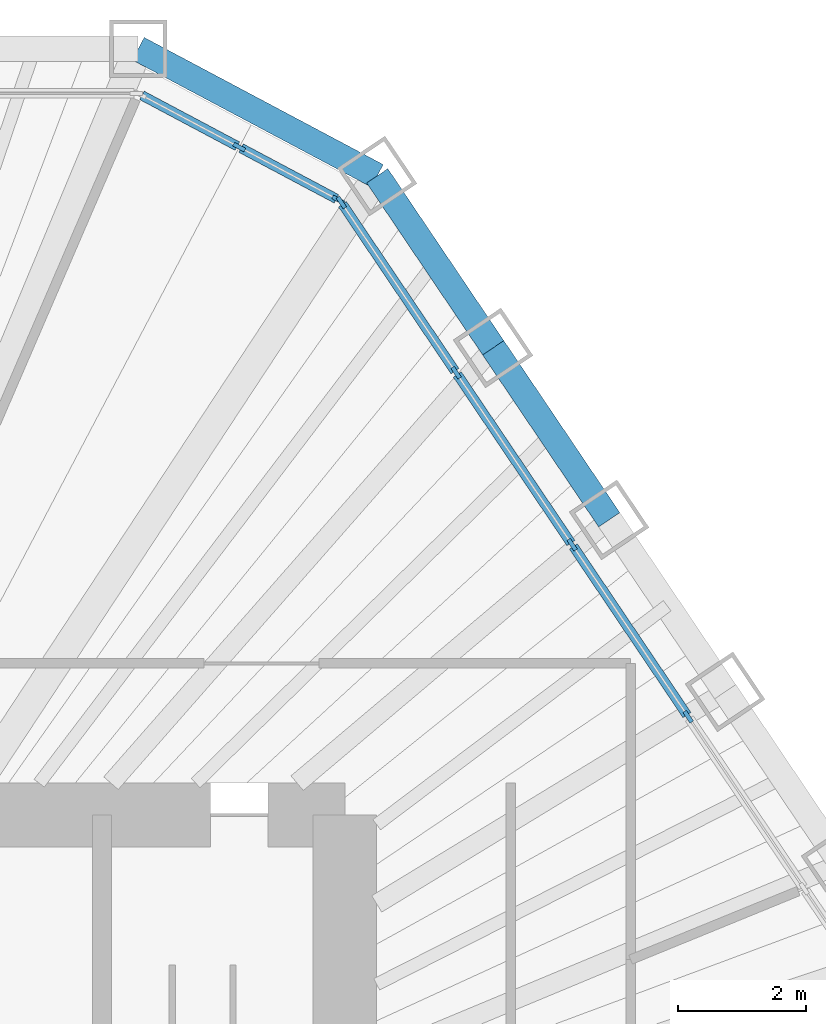
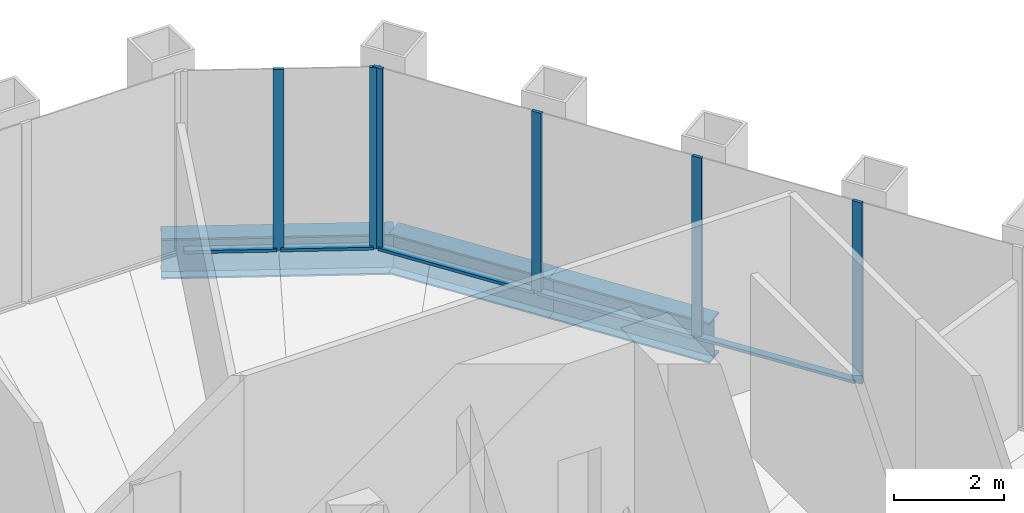
# One storey, part 8 of 14: 11 members, 3 beams, 2 elements without a shape of their own.
"""IFC4 building model written with IfcOpenShell, lengths in metres."""

from ifc_helpers import new_model, si_unit, direction, frame, origin, origin_2d, place, context, subcontext, project, spatial, rectangle, i_section, extrude, material, material_profile, profile_set, type_object, element, aggregate, save


model = new_model("IFC4")

# Units and contexts
model_context = context("Model", 3, precision=1e-05, world=origin(), true_north=direction((0.0, 1.0)))
body_context = subcontext(model_context, "Body", "Model", "MODEL_VIEW")
ifc_project = project(units=[si_unit("LENGTHUNIT", "METRE"), si_unit("AREAUNIT", "SQUARE_METRE"), si_unit("VOLUMEUNIT", "CUBIC_METRE"), si_unit("PLANEANGLEUNIT", "RADIAN"), si_unit("MASSUNIT", "GRAM", prefix="KILO")], contexts=[model_context])

# Site, building, storey
site_placement = place(None, origin())
site = spatial("IfcSite", under=ifc_project, at=site_placement, CompositionType="ELEMENT")
building_placement = place(site_placement, origin())
building = spatial("IfcBuilding", under=site, at=building_placement, Name="Qingtian Harvest Tower", CompositionType="ELEMENT")
storey_placement = place(building_placement, frame((0.0, 0.0, 287.199951171875)))
storey = spatial("IfcBuildingStorey", under=building, at=storey_placement, Name="L63", CompositionType="ELEMENT", Elevation=287.199951171875)

# Curtain wall, members
ifc_material_1 = material(Name="Bronze-anodised aluminium curtain wall", Category="aluminium")
curtain_wall_type = type_object("IfcCurtainWallType", Name="Curtain wall CW5 upper office", PredefinedType="USERDEFINED", material=ifc_material_1)
curtain_wall_1_placement = place(storey_placement, origin())
curtain_wall_1 = element("IfcCurtainWall", 1, at=curtain_wall_1_placement, inside=storey, type_object=curtain_wall_type, Name="Curtain wall CW5 L63 NC", ObjectType="RECESSED CURTAIN WALL", PredefinedType="USERDEFINED")
ifc_material_2 = material(Name="Bronze-anodised aluminium mullion", Category="aluminium")
ifc_material_profile_1 = material_profile(ifc_material_2, rectangle(XDim=0.06494140625, YDim=0.199951171875, at=origin_2d()), Name="AL 65x200")
ifc_profile_set_1 = profile_set([ifc_material_profile_1], Name="Bronze-anodised aluminium mullion")
member_type_1 = type_object("IfcMemberType", Name="Mullion CWM 65x200", PredefinedType="MULLION", material=ifc_profile_set_1)
member_1_placement = place(storey_placement, frame((10.3466796875, 19.45947265625, 0.0), z_axis=(0.0, 0.0, 1.0), x_axis=(0.469471562786, 0.882947592859, 0.0)))
member_1 = element("IfcMember", 2, at=member_1_placement, type_object=member_type_1, Name="CW5 mullion 2", PredefinedType="MULLION", context=body_context, shape_type="SweptSolid", body=[
    extrude(rectangle(XDim=0.06494140625, YDim=0.199951171875, at=origin_2d()), origin(), (0.0, 0.0, 1.0), 4.030029296875),
])
member_2_placement = place(storey_placement, frame((11.89892578125, 18.634033203125, 0.0), z_axis=(0.0, 0.0, 1.0), x_axis=(0.469471562786, 0.882947592859, 0.0)))
member_2 = element("IfcMember", 3, at=member_2_placement, type_object=member_type_1, Name="CW5 mullion 3", PredefinedType="MULLION", context=body_context, shape_type="SweptSolid", body=[
    extrude(rectangle(XDim=0.06494140625, YDim=0.199951171875, at=origin_2d()), origin(), (0.0, 0.0, 1.0), 4.030029296875),
])

curtain_wall_2_placement = place(storey_placement, origin())
curtain_wall_2 = element("IfcCurtainWall", 4, at=curtain_wall_2_placement, inside=storey, type_object=curtain_wall_type, Name="Curtain wall CW5 L63 NE0-5", ObjectType="RECESSED CURTAIN WALL", PredefinedType="USERDEFINED")
member_3_placement = place(storey_placement, frame((11.94580078125, 18.592041015625, 0.0), z_axis=(0.0, 0.0, 1.0), x_axis=(0.829037572555, 0.559192903471, 0.0)))
member_3 = element("IfcMember", 5, at=member_3_placement, type_object=member_type_1, Name="CW5 mullion 1", PredefinedType="MULLION", context=body_context, shape_type="SweptSolid", body=[
    extrude(rectangle(XDim=0.06494140625, YDim=0.199951171875, at=origin_2d()), origin(), (0.0, 0.0, 1.0), 4.030029296875),
])
member_4_placement = place(storey_placement, frame((13.743896484375, 15.926025390625, 0.0), z_axis=(0.0, 0.0, 1.0), x_axis=(0.829037572555, 0.559192903471, 0.0)))
member_4 = element("IfcMember", 6, at=member_4_placement, type_object=member_type_1, Name="CW5 mullion 2", PredefinedType="MULLION", context=body_context, shape_type="SweptSolid", body=[
    extrude(rectangle(XDim=0.06494140625, YDim=0.199951171875, at=origin_2d()), origin(), (0.0, 0.0, 1.0), 4.030029296875),
])
member_5_placement = place(storey_placement, frame((15.56005859375, 13.2333984375, 0.0), z_axis=(0.0, 0.0, 1.0), x_axis=(0.829037572555, 0.559192903471, 0.0)))
member_5 = element("IfcMember", 7, at=member_5_placement, type_object=member_type_1, Name="CW5 mullion 3", PredefinedType="MULLION", context=body_context, shape_type="SweptSolid", body=[
    extrude(rectangle(XDim=0.06494140625, YDim=0.199951171875, at=origin_2d()), origin(), (0.0, 0.0, 1.0), 4.030029296875),
])
member_6_placement = place(storey_placement, frame((17.37646484375, 10.540771484375, 0.0), z_axis=(0.0, 0.0, 1.0), x_axis=(0.829037572555, 0.559192903471, 0.0)))
member_6 = element("IfcMember", 8, at=member_6_placement, type_object=member_type_1, Name="CW5 mullion 4", PredefinedType="MULLION", context=body_context, shape_type="SweptSolid", body=[
    extrude(rectangle(XDim=0.06494140625, YDim=0.199951171875, at=origin_2d()), origin(), (0.0, 0.0, 1.0), 4.030029296875),
])

# Beams
ifc_material_3 = material(Name="Steel SN490B", Category="steel")
ifc_material_profile_2 = material_profile(ifc_material_3, i_section(OverallWidth=0.39990234375, OverallDepth=0.89990234375, WebThickness=0.01904296875, FlangeThickness=0.035888671875, at=origin_2d()), Name="H900x400x19x36")
ifc_profile_set_2 = profile_set([ifc_material_profile_2], Name="Steel SN490B")
beam_type = type_object("IfcBeamType", Name="Spandrel beam SB4 H900x400x19x36", PredefinedType="SPANDREL", material=ifc_profile_set_2)
beam_1_placement = place(storey_placement, frame((8.765869140625, 21.0, -0.449951171875), z_axis=(0.882948599748, -0.469469669099, 0.0), x_axis=(0.469469669099, 0.882948599748, 0.0)))
element("IfcBeam", 9, at=beam_1_placement, inside=storey, type_object=beam_type, Name="Spandrel SB4 NC", PredefinedType="SPANDREL", context=body_context, shape_type="SweptSolid", body=[
    extrude(i_section(OverallWidth=0.39990234375, OverallDepth=0.89990234375, WebThickness=0.01904296875, FlangeThickness=0.035888671875, at=origin_2d()), origin(), (0.0, 0.0, 1.0), 4.23828125),
])
beam_2_placement = place(storey_placement, frame((12.508056640625, 19.01025390625, -0.449951171875), z_axis=(0.559184924833, -0.829042954158, 0.0), x_axis=(0.829042954158, 0.559184924833, 0.0)))
element("IfcBeam", 10, at=beam_2_placement, inside=storey, type_object=beam_type, Name="Spandrel SB4 NE0", PredefinedType="SPANDREL", context=body_context, shape_type="SweptSolid", body=[
    extrude(i_section(OverallWidth=0.39990234375, OverallDepth=0.89990234375, WebThickness=0.01904296875, FlangeThickness=0.035888671875, at=origin_2d()), origin(), (0.0, 0.0, 1.0), 3.247802734375),
])
beam_3_placement = place(storey_placement, frame((14.32421875, 16.317626953125, -0.449951171875), z_axis=(0.559201740147, -0.829031612073, 0.0), x_axis=(0.829031612073, 0.559201740147, 0.0)))
element("IfcBeam", 11, at=beam_3_placement, inside=storey, type_object=beam_type, Name="Spandrel SB4 NE1", PredefinedType="SPANDREL", context=body_context, shape_type="SweptSolid", body=[
    extrude(i_section(OverallWidth=0.39990234375, OverallDepth=0.89990234375, WebThickness=0.01904296875, FlangeThickness=0.035888671875, at=origin_2d()), origin(), (0.0, 0.0, 1.0), 3.248291015625),
])

# Member
ifc_material_4 = material(Name="Bronze-anodised aluminium transom", Category="aluminium")
ifc_material_profile_3 = material_profile(ifc_material_4, rectangle(XDim=0.14990234375, YDim=0.06494140625, at=origin_2d()), Name="AL 65x150")
ifc_profile_set_3 = profile_set([ifc_material_profile_3], Name="Bronze-anodised aluminium transom")
member_type_2 = type_object("IfcMemberType", Name="Transom CWT 65x150", PredefinedType="USERDEFINED", material=ifc_profile_set_3)
member_7_placement = place(storey_placement, frame((8.8232421875, 20.26953125, 0.032470703125), z_axis=(0.882927080927, -0.469510138086, 0.0), x_axis=(0.469510138086, 0.882927080927, 0.0)))
member_7 = element("IfcMember", 12, at=member_7_placement, type_object=member_type_2, Name="CW5 transom 1.1", ObjectType="TRANSOM", PredefinedType="USERDEFINED", context=body_context, shape_type="SweptSolid", body=[
    extrude(rectangle(XDim=0.14990234375, YDim=0.06494140625, at=origin_2d()), origin(), (0.0, 0.0, 1.0), 1.693115234375),
])

member_8_placement = place(storey_placement, frame((10.37548828125, 19.444091796875, 0.032470703125), z_axis=(0.882986854304, -0.469397715297, 0.0), x_axis=(0.469397715297, 0.882986854304, 0.0)))
member_8 = element("IfcMember", 13, at=member_8_placement, type_object=member_type_2, Name="CW5 transom 2.1", ObjectType="TRANSOM", PredefinedType="USERDEFINED", context=body_context, shape_type="SweptSolid", body=[
    extrude(rectangle(XDim=0.14990234375, YDim=0.06494140625, at=origin_2d()), origin(), (0.0, 0.0, 1.0), 1.69287109375),
])

aggregate(curtain_wall_1, [member_1, member_2, member_7, member_8])

member_9_placement = place(storey_placement, frame((11.9638671875, 18.56494140625, 0.032470703125), z_axis=(0.559251907839, -0.828997770551, 0.0), x_axis=(0.828997770551, 0.559251907839, 0.0)))
member_9 = element("IfcMember", 14, at=member_9_placement, type_object=member_type_2, Name="CW5 transom 1.1", ObjectType="TRANSOM", PredefinedType="USERDEFINED", context=body_context, shape_type="SweptSolid", body=[
    extrude(rectangle(XDim=0.14990234375, YDim=0.06494140625, at=origin_2d()), origin(), (0.0, 0.0, 1.0), 3.150634765625),
])

member_10_placement = place(storey_placement, frame((13.761962890625, 15.899169921875, 0.032470703125), z_axis=(0.55920542009, -0.829029129852, 0.0), x_axis=(0.829029129852, 0.55920542009, 0.0)))
member_10 = element("IfcMember", 15, at=member_10_placement, type_object=member_type_2, Name="CW5 transom 2.1", ObjectType="TRANSOM", PredefinedType="USERDEFINED", context=body_context, shape_type="SweptSolid", body=[
    extrude(rectangle(XDim=0.14990234375, YDim=0.06494140625, at=origin_2d()), origin(), (0.0, 0.0, 1.0), 3.18310546875),
])

member_11_placement = place(storey_placement, frame((15.578369140625, 13.20654296875, 0.032470703125), z_axis=(0.55920542009, -0.829029129852, 0.0), x_axis=(0.829029129852, 0.55920542009, 0.0)))
member_11 = element("IfcMember", 16, at=member_11_placement, type_object=member_type_2, Name="CW5 transom 3.1", ObjectType="TRANSOM", PredefinedType="USERDEFINED", context=body_context, shape_type="SweptSolid", body=[
    extrude(rectangle(XDim=0.14990234375, YDim=0.06494140625, at=origin_2d()), origin(), (0.0, 0.0, 1.0), 3.18310546875),
])

aggregate(curtain_wall_2, [member_3, member_4, member_5, member_6, member_9, member_10, member_11])

save(model, "model.ifc")
